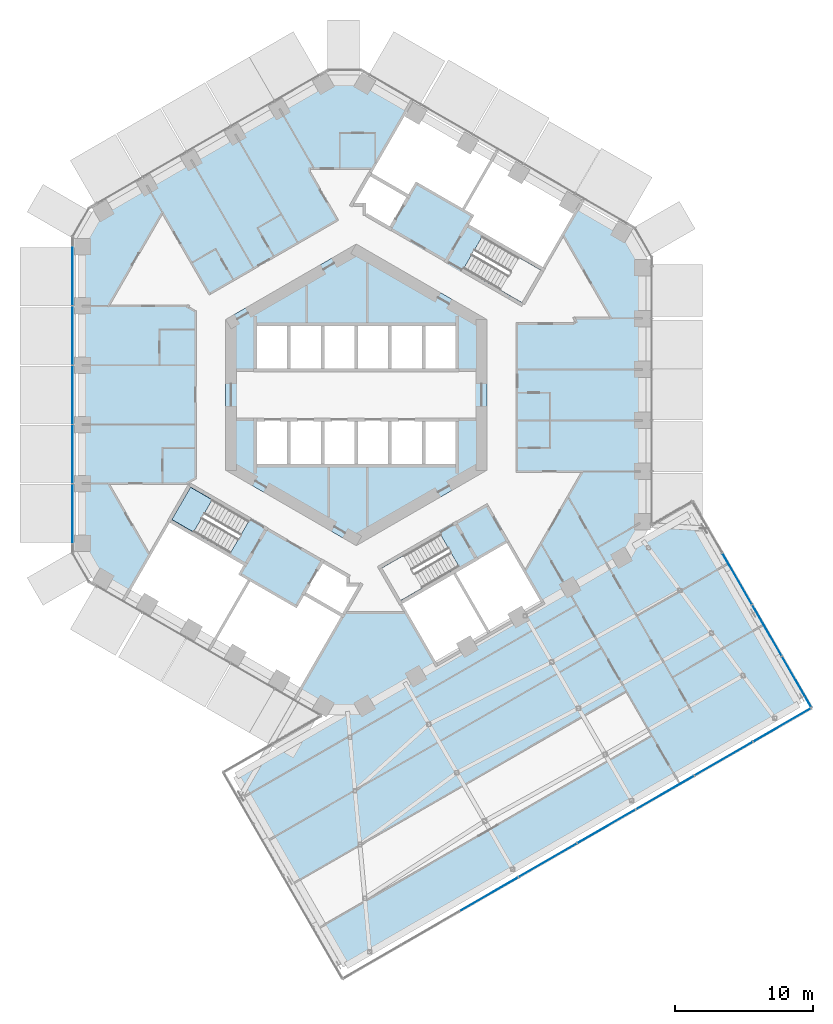
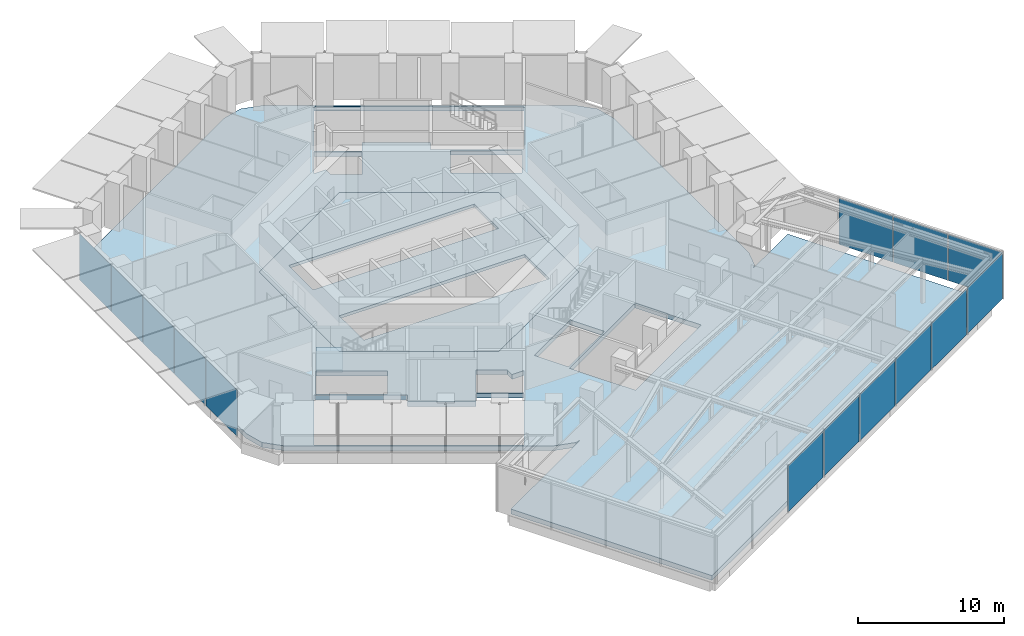
# One storey, part 13 of 28: 14 plates, 3 slabs, 4 elements without a shape of their own.
"""IFC4 building model written with IfcOpenShell, lengths in metres."""

from ifc_helpers import new_model, si_unit, direction, frame, origin, origin_2d, place, context, subcontext, project, spatial, polyline, rectangle, outline, extrude, material, layer, layer_set, type_object, element, aggregate, save


model = new_model("IFC4")

# Units and contexts
model_context = context("Model", 3, precision=1e-05, world=origin(), true_north=direction((0.0, 1.0)))
body_context = subcontext(model_context, "Body", "Model", "MODEL_VIEW")
ifc_project = project(units=[si_unit("LENGTHUNIT", "METRE"), si_unit("AREAUNIT", "SQUARE_METRE"), si_unit("VOLUMEUNIT", "CUBIC_METRE"), si_unit("PLANEANGLEUNIT", "RADIAN"), si_unit("MASSUNIT", "GRAM", prefix="KILO")], contexts=[model_context])

# Site, building, storey
site_placement = place(None, origin())
site = spatial("IfcSite", under=ifc_project, at=site_placement, CompositionType="ELEMENT")
building_placement = place(site_placement, origin())
building = spatial("IfcBuilding", under=site, at=building_placement, Name="Ayvan Gate Tower", CompositionType="ELEMENT")
storey_placement = place(building_placement, frame((0.0, 0.0, 74.300048828125)))
storey = spatial("IfcBuildingStorey", under=building, at=storey_placement, Name="L19", CompositionType="ELEMENT", Elevation=74.300048828125)

# Slabs
ifc_material_1 = material(Name="Concrete C40/50", Category="concrete")
ifc_layer_1 = layer(ifc_material_1, 0.39990234375)
ifc_layer_set_1 = layer_set([ifc_layer_1], Name="Concrete C40/50")
slab_type_1 = type_object("IfcSlabType", Name="Post-tensioned flat slab 400", PredefinedType="FLOOR", material=ifc_layer_set_1)
slab_1_placement = place(storey_placement, frame((0.0, 0.0, -0.400146484375)))
element("IfcSlab", 1, at=slab_1_placement, inside=storey, type_object=slab_type_1, Name="SL-L19", PredefinedType="FLOOR", context=body_context, shape_type="SweptSolid", body=[
    extrude(outline(polyline([(-19.932861328125, -10.759765625), (-19.932861328125, 10.759765625), (-19.53076171875, 12.259765625), (-18.432861328125, 13.35791015625), (-2.351806640625, 22.64208984375), (-0.851806640625, 23.044189453125), (0.648193359375, 22.64208984375), (19.28466796875, 11.88232421875), (20.382568359375, 10.784423828125), (20.78466796875, 9.284423828125), (20.78466796875, -9.284423828125), (20.382568359375, -10.784423828125), (20.104248046875, -11.062744140625), (24.1923828125, -8.702392578125), (32.162353515625, -22.506591796875), (-0.746826171875, -41.506591796875), (-8.716552734375, -27.702392578125), (-0.471435546875, -22.942138671875), (-0.851806640625, -23.044189453125), (-2.351806640625, -22.64208984375), (-18.432861328125, -13.35791015625), (-19.53076171875, -12.259765625), (-19.932861328125, -10.759765625)]), holes=[polyline([(8.44287109375, 13.0234375), (8.042724609375, 12.33056640625), (13.58544921875, 9.130615234375), (15.03662109375, 11.64404296875), (15.88720703125, 13.117431640625), (16.15185546875, 13.57568359375), (3.680908203125, 20.775634765625), (1.0146484375, 16.157470703125), (3.87255859375, 14.50732421875), (4.37255859375, 15.373291015625), (7.75, 13.42333984375), (8.44287109375, 13.0234375)]), polyline([(7.090087890625, -12.880615234375), (3.193115234375, -15.130615234375), (3.260498046875, -15.24755859375), (3.60498046875, -15.843994140625), (5.705078125, -19.4814453125), (5.8095703125, -19.662353515625), (9.70654296875, -17.412353515625), (13.603759765625, -15.162353515625), (12.265380859375, -12.843994140625), (10.9873046875, -10.630615234375), (8.735595703125, -11.9306640625), (7.090087890625, -12.880615234375)]), polyline([(7.80615234375, 9.170654296875), (12.049560546875, 6.720458984375), (13.404541015625, 9.0673828125), (9.1611328125, 11.517578125), (7.80615234375, 9.170654296875)]), polyline([(-9.5, -5.48486328125), (0.0, -10.9697265625), (9.5, -5.48486328125), (9.5, 5.48486328125), (0.0, 10.9697265625), (-9.5, 5.48486328125), (-9.5, -5.48486328125)]), polyline([(6.117431640625, -10.1455078125), (1.873779296875, -12.595458984375), (3.228759765625, -14.9423828125), (7.472412109375, -12.492431640625), (6.117431640625, -10.1455078125)]), polyline([(0.964599609375, 16.07080078125), (-0.340576171875, 13.81005859375), (0.60009765625, 13.81005859375), (0.60009765625, 13.16357421875), (2.472412109375, 12.08251953125), (3.822509765625, 14.420654296875), (0.964599609375, 16.07080078125)]), polyline([(-0.60009765625, -13.16357421875), (-2.472412109375, -12.08251953125), (-3.822509765625, -14.420654296875), (-0.964599609375, -16.07080078125), (-0.833740234375, -15.843994140625), (0.340576171875, -13.81005859375), (-0.60009765625, -13.81005859375), (-0.60009765625, -13.16357421875)]), polyline([(-16.57763671875, -14.3134765625), (-4.10693359375, -21.513427734375), (-1.0146484375, -16.157470703125), (-3.87255859375, -14.50732421875), (-4.37255859375, -15.373291015625), (-7.75, -13.42333984375), (-8.44287109375, -13.0234375), (-8.042724609375, -12.33056640625), (-13.58544921875, -9.130615234375), (-16.57763671875, -14.3134765625)]), polyline([(-13.404541015625, -9.0673828125), (-9.1611328125, -11.517578125), (-7.80615234375, -9.170654296875), (-12.049560546875, -6.720458984375), (-13.404541015625, -9.0673828125)])]), origin(), (0.0, 0.0, 1.0), 0.400146484375),
])
ifc_layer_2 = layer(ifc_material_1, 0.25)
ifc_layer_set_2 = layer_set([ifc_layer_2], Name="Concrete C40/50")
slab_type_2 = type_object("IfcSlabType", Name="SL-CORE-250", PredefinedType="FLOOR", material=ifc_layer_set_2)
slab_2_placement = place(storey_placement, frame((0.0, 0.0, -0.25)))
element("IfcSlab", 2, at=slab_2_placement, inside=storey, type_object=slab_type_2, Name="CS-L19", PredefinedType="FLOOR", context=body_context, shape_type="SweptSolid", body=[
    extrude(outline(polyline([(9.5, -5.48486328125), (0.0, -10.9697265625), (-9.5, -5.48486328125), (-9.5, 5.48486328125), (0.0, 10.9697265625), (9.5, 5.48486328125), (9.5, -5.48486328125)]), holes=[polyline([(-7.35009765625, -1.800048828125), (-7.35009765625, -5.14990234375), (7.35009765625, -5.14990234375), (7.35009765625, -1.800048828125), (-7.35009765625, -1.800048828125)]), polyline([(-7.35009765625, 5.14990234375), (-7.35009765625, 1.800048828125), (7.35009765625, 1.800048828125), (7.35009765625, 5.14990234375), (-7.35009765625, 5.14990234375)])]), origin(), (0.0, 0.0, 1.0), 0.25),
])

# Stair, slab
stair_type = type_object("IfcStairType", Name="ST-EXIT", PredefinedType="HALF_TURN_STAIR", material=ifc_material_1)
stair_placement = place(storey_placement, origin())
stair = element("IfcStair", 3, at=stair_placement, inside=storey, type_object=stair_type, Name="L19 Exit Stair S2", PredefinedType="HALF_TURN_STAIR")
ifc_layer_3 = layer(ifc_material_1, 0.199951171875)
ifc_layer_set_3 = layer_set([ifc_layer_3], Name="Concrete C40/50")
slab_type_3 = type_object("IfcSlabType", Name="SL-LANDING-200", PredefinedType="LANDING", material=ifc_layer_set_3)
slab_3_placement = place(storey_placement, frame((0.0, 0.0, 1.800048828125)))
slab_3 = element("IfcSlab", 4, at=slab_3_placement, type_object=slab_type_3, Name="STS2 landing 1", PredefinedType="LANDING", context=body_context, shape_type="SweptSolid", body=[
    extrude(outline(polyline([(-10.473388671875, -7.630615234375), (-12.049560546875, -6.720458984375), (-13.404541015625, -9.0673828125), (-11.828369140625, -9.9775390625), (-10.473388671875, -7.630615234375)])), origin(), (0.0, 0.0, 1.0), 0.199951171875),
])
aggregate(stair, [slab_3])

# Curtain wall, plates
ifc_material_2 = material(Name="Bronze anodised aluminium", Category="aluminium")
ifc_layer_4 = layer(ifc_material_2, 0.199951171875)
ifc_layer_set_4 = layer_set([ifc_layer_4], Name="Bronze anodised aluminium")
curtain_wall_type_1 = type_object("IfcCurtainWallType", Name="Stick curtain wall CW-1", PredefinedType="NOTDEFINED", material=ifc_layer_set_4)
curtain_wall_1_placement = place(storey_placement, origin())
curtain_wall_1 = element("IfcCurtainWall", 5, at=curtain_wall_1_placement, inside=storey, type_object=curtain_wall_type_1, Name="Stick curtain wall CW-1 L19", PredefinedType="NOTDEFINED")
ifc_material_3 = material(Name="Clear low-iron laminated glass", Category="glass")
ifc_layer_5 = layer(ifc_material_3, 0.028076171875)
ifc_layer_set_5 = layer_set([ifc_layer_5], Name="Clear low-iron laminated glass")
plate_type_1 = type_object("IfcPlateType", Name="Stick curtain wall CW-1 glass panel", PredefinedType="CURTAIN_PANEL", material=ifc_layer_set_5)
plate_1_placement = place(storey_placement, frame((-20.6328125, 8.659912109375, 0.0), z_axis=(0.0, 0.0, 1.0), x_axis=(0.0, -1.0, 0.0)))
plate_1 = element("IfcPlate", 6, at=plate_1_placement, type_object=plate_type_1, Name="CW-1 glass panel 1", PredefinedType="CURTAIN_PANEL", context=body_context, shape_type="SweptSolid", body=[
    extrude(rectangle(XDim=4.323974609375, YDim=0.028076171875, at=origin_2d()), origin(), (0.0, 0.0, 1.0), 3.8798828125),
])
plate_2_placement = place(storey_placement, frame((-20.6328125, 4.31201171875, 0.0), z_axis=(0.0, 0.0, 1.0), x_axis=(0.0, -1.0, 0.0)))
plate_2 = element("IfcPlate", 7, at=plate_2_placement, type_object=plate_type_1, Name="CW-1 glass panel 2", PredefinedType="CURTAIN_PANEL", context=body_context, shape_type="SweptSolid", body=[
    extrude(rectangle(XDim=4.251953125, YDim=0.028076171875, at=origin_2d()), origin(), (0.0, 0.0, 1.0), 3.8798828125),
])
plate_3_placement = place(storey_placement, frame((-20.6328125, 0.0, 0.0), z_axis=(0.0, 0.0, 1.0), x_axis=(0.0, -1.0, 0.0)))
plate_3 = element("IfcPlate", 8, at=plate_3_placement, type_object=plate_type_1, Name="CW-1 glass panel 3", PredefinedType="CURTAIN_PANEL", context=body_context, shape_type="SweptSolid", body=[
    extrude(rectangle(XDim=4.251953125, YDim=0.028076171875, at=origin_2d()), origin(), (0.0, 0.0, 1.0), 3.8798828125),
])
plate_4_placement = place(storey_placement, frame((-20.6328125, -4.31201171875, 0.0), z_axis=(0.0, 0.0, 1.0), x_axis=(0.0, -1.0, 0.0)))
plate_4 = element("IfcPlate", 9, at=plate_4_placement, type_object=plate_type_1, Name="CW-1 glass panel 4", PredefinedType="CURTAIN_PANEL", context=body_context, shape_type="SweptSolid", body=[
    extrude(rectangle(XDim=4.251953125, YDim=0.028076171875, at=origin_2d()), origin(), (0.0, 0.0, 1.0), 3.8798828125),
])
plate_5_placement = place(storey_placement, frame((-20.6328125, -8.659912109375, 0.0), z_axis=(0.0, 0.0, 1.0), x_axis=(0.0, -1.0, 0.0)))
plate_5 = element("IfcPlate", 10, at=plate_5_placement, type_object=plate_type_1, Name="CW-1 glass panel 5", PredefinedType="CURTAIN_PANEL", context=body_context, shape_type="SweptSolid", body=[
    extrude(rectangle(XDim=4.32373046875, YDim=0.028076171875, at=origin_2d()), origin(), (0.0, 0.0, 1.0), 3.8798828125),
])
aggregate(curtain_wall_1, [plate_1, plate_2, plate_3, plate_4, plate_5])

ifc_layer_6 = layer(ifc_material_2, 0.199951171875)
ifc_layer_set_6 = layer_set([ifc_layer_6], Name="Bronze anodised aluminium")
curtain_wall_type_2 = type_object("IfcCurtainWallType", Name="Stick curtain wall CW-4", PredefinedType="NOTDEFINED", material=ifc_layer_set_6)
curtain_wall_2_placement = place(storey_placement, origin())
curtain_wall_2 = element("IfcCurtainWall", 11, at=curtain_wall_2_placement, inside=storey, type_object=curtain_wall_type_2, Name="Stick curtain wall CW-4 L19", PredefinedType="NOTDEFINED")
ifc_layer_7 = layer(ifc_material_3, 0.028076171875)
ifc_layer_set_7 = layer_set([ifc_layer_7], Name="Clear low-iron laminated glass")
plate_type_2 = type_object("IfcPlateType", Name="Stick curtain wall CW-4 glass panel", PredefinedType="CURTAIN_PANEL", material=ifc_layer_set_7)
plate_6_placement = place(storey_placement, frame((9.659912109375, -36.306640625, 0.0), z_axis=(0.0, 0.0, 1.0), x_axis=(0.866025403784, 0.5, 0.0)))
plate_6 = element("IfcPlate", 12, at=plate_6_placement, type_object=plate_type_2, Name="CW-4 glass panel 3", PredefinedType="CURTAIN_PANEL", context=body_context, shape_type="SweptSolid", body=[
    extrude(rectangle(XDim=4.844970703125, YDim=0.028076171875, at=origin_2d()), origin(), (0.0, 0.0, 1.0), 3.860107421875),
])
plate_7_placement = place(storey_placement, frame((13.92529296875, -33.843994140625, 0.0), z_axis=(0.0, 0.0, 1.0), x_axis=(0.866025403784, 0.5, 0.0)))
plate_7 = element("IfcPlate", 13, at=plate_7_placement, type_object=plate_type_2, Name="CW-4 glass panel 4", PredefinedType="CURTAIN_PANEL", context=body_context, shape_type="SweptSolid", body=[
    extrude(rectangle(XDim=4.844970703125, YDim=0.028076171875, at=origin_2d()), origin(), (0.0, 0.0, 1.0), 3.860107421875),
])
plate_8_placement = place(storey_placement, frame((18.1904296875, -31.381591796875, 0.0), z_axis=(0.0, 0.0, 1.0), x_axis=(0.866025403784, 0.5, 0.0)))
plate_8 = element("IfcPlate", 14, at=plate_8_placement, type_object=plate_type_2, Name="CW-4 glass panel 5", PredefinedType="CURTAIN_PANEL", context=body_context, shape_type="SweptSolid", body=[
    extrude(rectangle(XDim=4.844970703125, YDim=0.028076171875, at=origin_2d()), origin(), (0.0, 0.0, 1.0), 3.860107421875),
])
plate_9_placement = place(storey_placement, frame((22.45556640625, -28.919189453125, 0.0), z_axis=(0.0, 0.0, 1.0), x_axis=(0.866025403784, 0.5, 0.0)))
plate_9 = element("IfcPlate", 15, at=plate_9_placement, type_object=plate_type_2, Name="CW-4 glass panel 6", PredefinedType="CURTAIN_PANEL", context=body_context, shape_type="SweptSolid", body=[
    extrude(rectangle(XDim=4.844970703125, YDim=0.028076171875, at=origin_2d()), origin(), (0.0, 0.0, 1.0), 3.860107421875),
])
plate_10_placement = place(storey_placement, frame((26.720703125, -26.45654296875, 0.0), z_axis=(0.0, 0.0, 1.0), x_axis=(0.866025403784, 0.5, 0.0)))
plate_10 = element("IfcPlate", 16, at=plate_10_placement, type_object=plate_type_2, Name="CW-4 glass panel 7", PredefinedType="CURTAIN_PANEL", context=body_context, shape_type="SweptSolid", body=[
    extrude(rectangle(XDim=4.844970703125, YDim=0.028076171875, at=origin_2d()), origin(), (0.0, 0.0, 1.0), 3.860107421875),
])
ifc_material_4 = material(Name="Pale anodised aluminium composite panel", Category="aluminium")
ifc_layer_8 = layer(ifc_material_4, 0.028076171875)
ifc_layer_set_8 = layer_set([ifc_layer_8], Name="Pale anodised aluminium composite panel")
plate_type_3 = type_object("IfcPlateType", Name="Stick curtain wall CW-4 solid panel", PredefinedType="CURTAIN_PANEL", material=ifc_layer_set_8)
plate_11_placement = place(storey_placement, frame((30.98583984375, -23.994140625, 0.0), z_axis=(0.0, 0.0, 1.0), x_axis=(0.866025403784, 0.5, 0.0)))
plate_11 = element("IfcPlate", 17, at=plate_11_placement, type_object=plate_type_3, Name="CW-4 solid panel 8", PredefinedType="CURTAIN_PANEL", context=body_context, shape_type="SweptSolid", body=[
    extrude(rectangle(XDim=4.844970703125, YDim=0.028076171875, at=origin_2d()), origin(), (0.0, 0.0, 1.0), 3.860107421875),
])
aggregate(curtain_wall_2, [plate_6, plate_7, plate_8, plate_9, plate_10, plate_11])

curtain_wall_3_placement = place(storey_placement, origin())
curtain_wall_3 = element("IfcCurtainWall", 18, at=curtain_wall_3_placement, inside=storey, type_object=curtain_wall_type_2, Name="Stick curtain wall CW-4 L19", PredefinedType="NOTDEFINED")
plate_12_placement = place(storey_placement, frame((32.03466796875, -20.8857421875, 0.0), z_axis=(0.0, 0.0, 1.0), x_axis=(-0.5, 0.866025403784, 0.0)))
plate_12 = element("IfcPlate", 19, at=plate_12_placement, type_object=plate_type_3, Name="CW-4 solid panel 1", PredefinedType="CURTAIN_PANEL", context=body_context, shape_type="SweptSolid", body=[
    extrude(rectangle(XDim=4.2548828125, YDim=0.028076171875, at=origin_2d()), origin(), (0.0, 0.0, 1.0), 3.860107421875),
])
plate_13_placement = place(storey_placement, frame((29.8671875, -17.131591796875, 0.0), z_axis=(0.0, 0.0, 1.0), x_axis=(-0.5, 0.866025403784, 0.0)))
plate_13 = element("IfcPlate", 20, at=plate_13_placement, type_object=plate_type_3, Name="CW-4 solid panel 2", PredefinedType="CURTAIN_PANEL", context=body_context, shape_type="SweptSolid", body=[
    extrude(rectangle(XDim=4.2548828125, YDim=0.028076171875, at=origin_2d()), origin(), (0.0, 0.0, 1.0), 3.860107421875),
])
plate_14_placement = place(storey_placement, frame((27.69970703125, -13.37744140625, 0.0), z_axis=(0.0, 0.0, 1.0), x_axis=(-0.5, 0.866025403784, 0.0)))
plate_14 = element("IfcPlate", 21, at=plate_14_placement, type_object=plate_type_3, Name="CW-4 solid panel 3", PredefinedType="CURTAIN_PANEL", context=body_context, shape_type="SweptSolid", body=[
    extrude(rectangle(XDim=4.2548828125, YDim=0.028076171875, at=origin_2d()), origin(), (0.0, 0.0, 1.0), 3.860107421875),
])
aggregate(curtain_wall_3, [plate_12, plate_13, plate_14])

save(model, "model.ifc")
